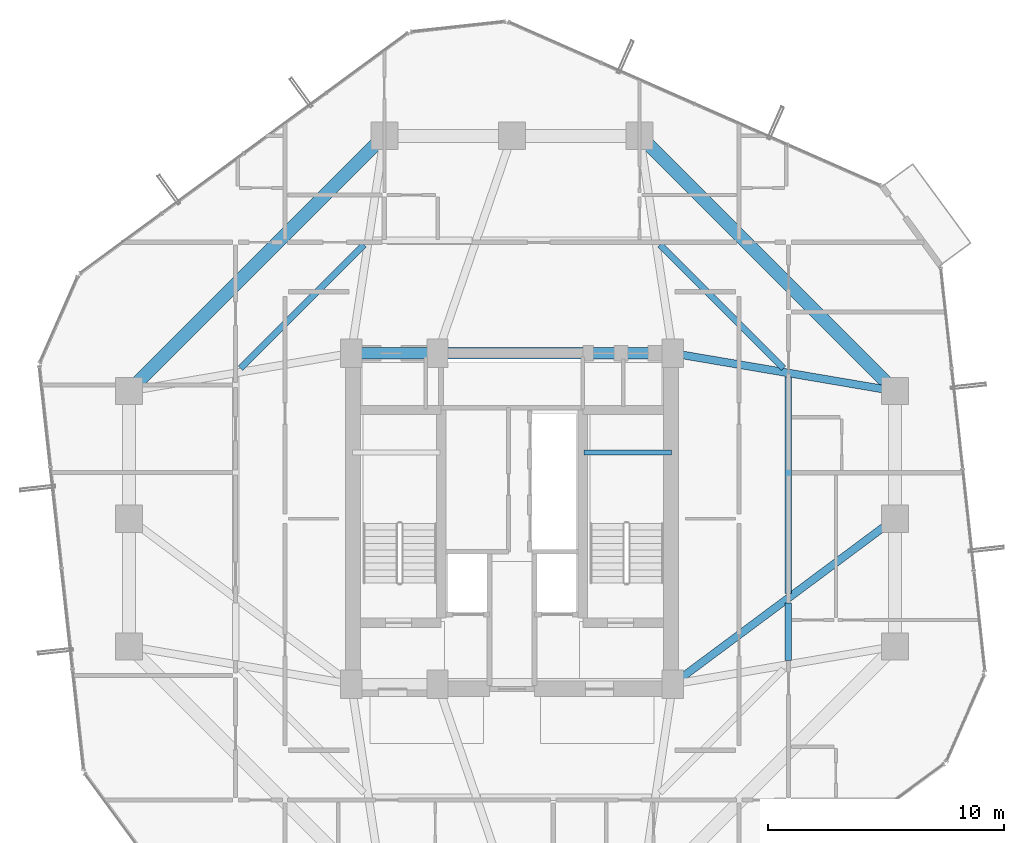
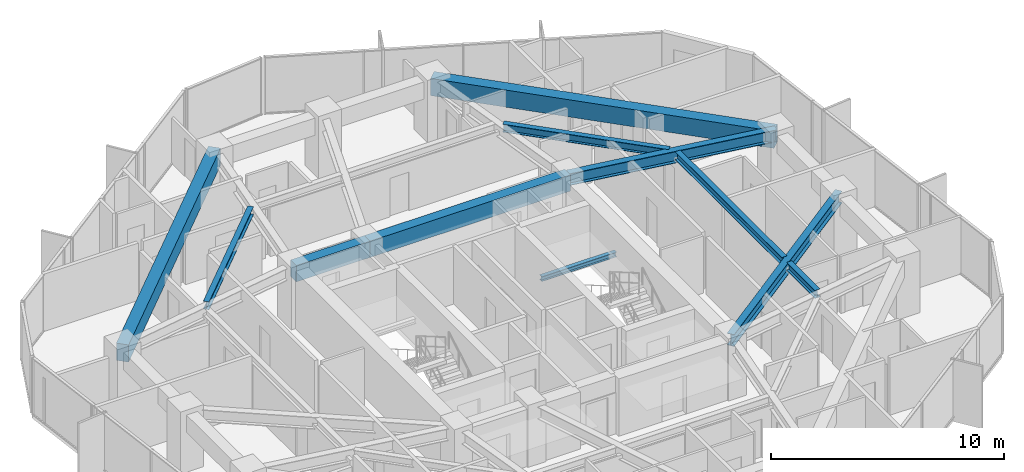
# One storey, part 14 of 34: 11 beams.
"""IFC4 building model written with IfcOpenShell, lengths in metres."""

from ifc_helpers import new_model, si_unit, direction, frame, origin, origin_2d, place, context, subcontext, project, spatial, rectangle, i_section, extrude, material, material_profile, profile_set, type_object, element, save


model = new_model("IFC4")

# Units and contexts
model_context = context("Model", 3, precision=1e-05, world=origin(), true_north=direction((0.0, 1.0)))
body_context = subcontext(model_context, "Body", "Model", "MODEL_VIEW")
ifc_project = project(units=[si_unit("LENGTHUNIT", "METRE"), si_unit("AREAUNIT", "SQUARE_METRE"), si_unit("VOLUMEUNIT", "CUBIC_METRE"), si_unit("PLANEANGLEUNIT", "RADIAN"), si_unit("MASSUNIT", "GRAM", prefix="KILO")], contexts=[model_context])

# Site, building, storey
site_placement = place(None, origin())
site = spatial("IfcSite", under=ifc_project, at=site_placement, CompositionType="ELEMENT")
building_placement = place(site_placement, origin())
building = spatial("IfcBuilding", under=site, at=building_placement, Name="Veraguas Prism Commons", CompositionType="ELEMENT")
storey_placement = place(building_placement, frame((0.0, 0.0, 149.0)))
storey = spatial("IfcBuildingStorey", under=building, at=storey_placement, Name="L42", CompositionType="ELEMENT", Elevation=149.0)

# Beams
ifc_material_1 = material(Name="Concrete C50/60", Category="concrete")
ifc_material_profile_1 = material_profile(ifc_material_1, rectangle(XDim=0.5, YDim=0.85009765625, at=origin_2d()), Name="RC500X850")
ifc_profile_set_1 = profile_set([ifc_material_profile_1], Name="Concrete C50/60")
beam_type_1 = type_object("IfcBeamType", Name="Core Coupling Beam RC 500x850", PredefinedType="BEAM", material=ifc_profile_set_1)
beam_1_placement = place(storey_placement, frame((17.199951171875, 31.0, 2.574951171875), z_axis=(1.0, 0.0, 0.0), x_axis=(0.0, 1.0, 0.0)))
element("IfcBeam", 1, at=beam_1_placement, inside=storey, type_object=beam_type_1, Name="Core Coupling Beam L42-CRN1", PredefinedType="BEAM", context=body_context, shape_type="SweptSolid", body=[
    extrude(rectangle(XDim=0.5, YDim=0.85009765625, at=origin_2d()), origin(), (0.0, 0.0, 1.0), 3.650146484375),
])
beam_2_placement = place(storey_placement, frame((20.85009765625, 31.0, 2.574951171875), z_axis=(1.0, 0.0, 0.0), x_axis=(0.0, 1.0, 0.0)))
element("IfcBeam", 2, at=beam_2_placement, inside=storey, type_object=beam_type_1, Name="Core Coupling Beam L42-CRN2", PredefinedType="BEAM", context=body_context, shape_type="SweptSolid", body=[
    extrude(rectangle(XDim=0.5, YDim=0.85009765625, at=origin_2d()), origin(), (0.0, 0.0, 1.0), 9.949951171875),
])
ifc_material_2 = material(Name="Steel ASTM A992 Grade 50", Category="steel")
ifc_material_profile_2 = material_profile(ifc_material_2, i_section(OverallWidth=0.260986328125, OverallDepth=0.419921875, WebThickness=0.01171875, FlangeThickness=0.019287109375, at=origin_2d()), Name="W410X114")
ifc_profile_set_2 = profile_set([ifc_material_profile_2], Name="Steel ASTM A992 Grade 50")
beam_type_2 = type_object("IfcBeamType", Name="Lower Floor Joist W410x114", PredefinedType="JOIST", material=ifc_profile_set_2)
beam_3_placement = place(storey_placement, frame((35.68798828125, 17.996337890625, 2.7900390625), z_axis=(0.0, 1.0, 0.0), x_axis=(-1.0, 0.0, 0.0)))
element("IfcBeam", 3, at=beam_3_placement, inside=storey, type_object=beam_type_2, Name="Composite Floor Joist L42-JS01", PredefinedType="JOIST", context=body_context, shape_type="SweptSolid", body=[
    extrude(i_section(OverallWidth=0.260986328125, OverallDepth=0.419921875, WebThickness=0.01171875, FlangeThickness=0.019287109375, at=origin_2d()), origin(), (0.0, 0.0, 1.0), 2.441650390625),
])
beam_4_placement = place(storey_placement, frame((35.68798828125, 20.842041015625, 2.7900390625), z_axis=(0.0, 1.0, 0.0), x_axis=(-1.0, 0.0, 0.0)))
element("IfcBeam", 4, at=beam_4_placement, inside=storey, type_object=beam_type_2, Name="Composite Floor Joist L42-JS02", PredefinedType="JOIST", context=body_context, shape_type="SweptSolid", body=[
    extrude(i_section(OverallWidth=0.260986328125, OverallDepth=0.419921875, WebThickness=0.01171875, FlangeThickness=0.019287109375, at=origin_2d()), origin(), (0.0, 0.0, 1.0), 9.16162109375),
])
for number, where, z_axis, x_axis, name in (
    (5, (35.489990234375, 30.365966796875, 2.7900390625), (-0.707090260193, 0.707123301794, 0.0), (-0.707123301794, -0.707090260193, 0.0), "Composite Floor Joist L42-JS03"),
    (6, (17.734619140625, 35.5908203125, 2.7900390625), (-0.707090260193, -0.707123301794, 0.0), (0.707123301794, -0.707090260193, 0.0), "Composite Floor Joist L42-JS06"),
):
    element("IfcBeam", number, at=place(storey_placement, frame(where, z_axis=z_axis, x_axis=x_axis)), inside=storey, type_object=beam_type_2, Name=name, PredefinedType="JOIST", context=body_context, shape_type="SweptSolid", body=[
        extrude(i_section(OverallWidth=0.260986328125, OverallDepth=0.419921875, WebThickness=0.01171875, FlangeThickness=0.019287109375, at=origin_2d()), origin(), (0.0, 0.0, 1.0), 7.388916015625),
    ])
ifc_material_profile_3 = material_profile(ifc_material_1, rectangle(XDim=0.550048828125, YDim=0.89990234375, at=origin_2d()), Name="RC550X900")
ifc_profile_set_3 = profile_set([ifc_material_profile_3], Name="Concrete C50/60")
beam_type_3 = type_object("IfcBeamType", Name="Perimeter Spandrel Lower RC 550x900", PredefinedType="SPANDREL", material=ifc_profile_set_3)
for number, where, z_axis, x_axis, name in (
    (7, (40.199951171875, 29.39990234375, 2.550048828125), (-0.707106781187, 0.707106781187, 0.0), (-0.707106781187, -0.707106781187, 0.0), "Perimeter Spandrel Beam L42-SP03"),
    (8, (18.60009765625, 40.199951171875, 2.550048828125), (-0.707106781187, -0.707106781187, 0.0), (0.707106781187, -0.707106781187, 0.0), "Perimeter Spandrel Beam L42-SP06"),
):
    element("IfcBeam", number, at=place(storey_placement, frame(where, z_axis=z_axis, x_axis=x_axis)), inside=storey, type_object=beam_type_3, Name=name, PredefinedType="SPANDREL", context=body_context, shape_type="SweptSolid", body=[
        extrude(rectangle(XDim=0.550048828125, YDim=0.89990234375, at=origin_2d()), origin(), (0.0, 0.0, 1.0), 15.273681640625),
    ])
ifc_material_profile_4 = material_profile(ifc_material_2, i_section(OverallWidth=0.202880859375, OverallDepth=0.251953125, WebThickness=0.008056640625, FlangeThickness=0.013427734375, at=origin_2d()), Name="W250X58")
ifc_profile_set_4 = profile_set([ifc_material_profile_4], Name="Steel ASTM A992 Grade 50")
beam_type_4 = type_object("IfcBeamType", Name="Structural Opening Lintel W250x58", PredefinedType="LINTEL", material=ifc_profile_set_4)
beam_5_placement = place(storey_placement, frame((27.050048828125, 26.800048828125, 1.299072265625), z_axis=(1.0, 0.0, 0.0), x_axis=(0.0, 1.0, 0.0)))
element("IfcBeam", 9, at=beam_5_placement, inside=storey, type_object=beam_type_4, Name="Stair ST-02 Half-Landing Support Beam L42-1", PredefinedType="LINTEL", context=body_context, shape_type="SweptSolid", body=[
    extrude(i_section(OverallWidth=0.202880859375, OverallDepth=0.251953125, WebThickness=0.008056640625, FlangeThickness=0.013427734375, at=origin_2d()), origin(), (0.0, 0.0, 1.0), 3.699951171875),
])
ifc_material_profile_5 = material_profile(ifc_material_2, i_section(OverallWidth=0.327880859375, OverallDepth=0.6220703125, WebThickness=0.015380859375, FlangeThickness=0.0244140625, at=origin_2d()), Name="W610X195")
ifc_profile_set_5 = profile_set([ifc_material_profile_5], Name="Steel ASTM A992 Grade 50")
beam_type_5 = type_object("IfcBeamType", Name="Zone 2 Radial Girder W610x195", PredefinedType="BEAM", material=ifc_profile_set_5)
beam_6_placement = place(storey_placement, frame((40.199951171875, 24.0, 2.68896484375), z_axis=(-0.802040137921, -0.597270137512, 0.0), x_axis=(0.597270137512, -0.802040137921, 0.0)))
element("IfcBeam", 10, at=beam_6_placement, inside=storey, type_object=beam_type_5, Name="Radial Floor Girder L42-RD02", PredefinedType="BEAM", context=body_context, shape_type="SweptSolid", body=[
    extrude(i_section(OverallWidth=0.327880859375, OverallDepth=0.6220703125, WebThickness=0.015380859375, FlangeThickness=0.0244140625, at=origin_2d()), origin(), (0.0, 0.0, 1.0), 11.719970703125),
])
beam_7_placement = place(storey_placement, frame((40.199951171875, 29.39990234375, 2.68896484375), z_axis=(-0.985819187151, 0.1678109956, 0.0), x_axis=(-0.1678109956, -0.985819187151, 0.0)))
element("IfcBeam", 11, at=beam_7_placement, inside=storey, type_object=beam_type_5, Name="Radial Floor Girder L42-RD03", PredefinedType="BEAM", context=body_context, shape_type="SweptSolid", body=[
    extrude(i_section(OverallWidth=0.327880859375, OverallDepth=0.6220703125, WebThickness=0.015380859375, FlangeThickness=0.0244140625, at=origin_2d()), origin(), (0.0, 0.0, 1.0), 9.53515625),
])

save(model, "model.ifc")
